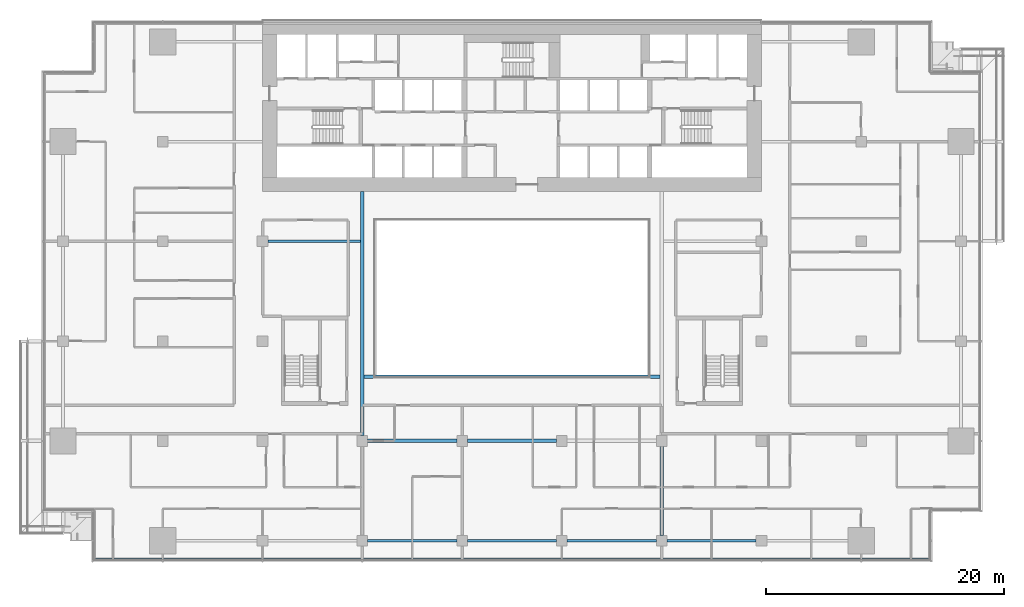
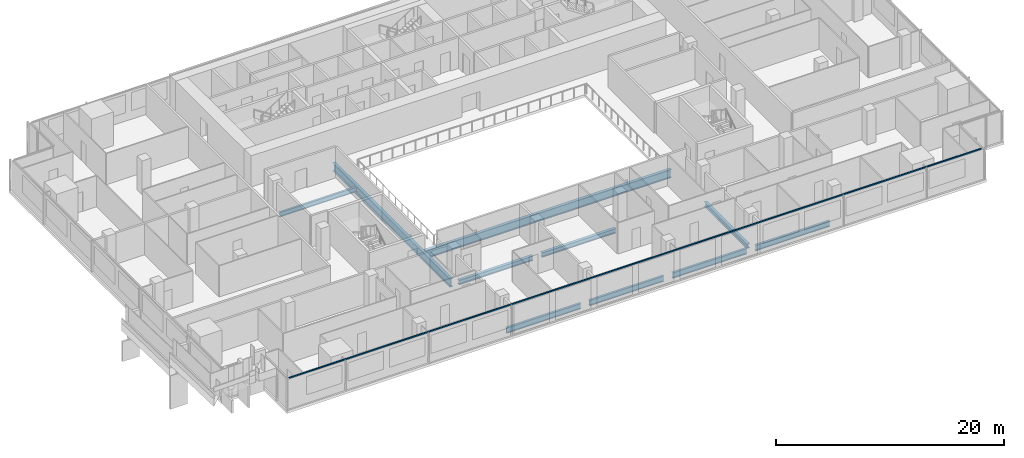
# One storey, part 5 of 27: 10 beams, 1 member, 1 element without a shape of its own.
"""IFC4 building model written with IfcOpenShell, lengths in metres."""

from ifc_helpers import new_model, si_unit, direction, frame, origin, origin_2d, place, context, subcontext, project, spatial, rectangle, i_section, extrude, material, material_profile, profile_set, type_object, element, aggregate, save


model = new_model("IFC4")

# Units and contexts
model_context = context("Model", 3, precision=1e-05, world=origin(), true_north=direction((0.0, 1.0)))
body_context = subcontext(model_context, "Body", "Model", "MODEL_VIEW")
ifc_project = project(units=[si_unit("LENGTHUNIT", "METRE"), si_unit("AREAUNIT", "SQUARE_METRE"), si_unit("VOLUMEUNIT", "CUBIC_METRE"), si_unit("PLANEANGLEUNIT", "RADIAN"), si_unit("MASSUNIT", "GRAM", prefix="KILO")], contexts=[model_context])

# Site, building, storey
site_placement = place(None, origin())
site = spatial("IfcSite", under=ifc_project, at=site_placement, CompositionType="ELEMENT")
building_placement = place(site_placement, origin())
building = spatial("IfcBuilding", under=site, at=building_placement, Name="Saffron Gate Tower", CompositionType="ELEMENT")
storey_placement = place(building_placement, frame((0.0, 0.0, 76.800048828125)))
storey = spatial("IfcBuildingStorey", under=building, at=storey_placement, Name="L18", CompositionType="ELEMENT", Elevation=76.800048828125)

# Beams
ifc_material_1 = material(Name="Structural steel S355", Category="steel")
ifc_material_profile_1 = material_profile(ifc_material_1, i_section(OverallWidth=0.199951171875, OverallDepth=0.5, WebThickness=0.01025390625, FlangeThickness=0.01611328125, FilletRadius=0.02099609375, at=origin_2d()))
ifc_profile_set_1 = profile_set([ifc_material_profile_1], Name="Structural steel S355")
beam_type_1 = type_object("IfcBeamType", Name="B10 IPE 500", PredefinedType="BEAM", material=ifc_profile_set_1)
beam_1_placement = place(storey_placement, frame((67.050048828125, 57.0, -0.530029296875), z_axis=(1.0, 0.0, 0.0), x_axis=(0.0, 1.0, 0.0)))
element("IfcBeam", 1, at=beam_1_placement, inside=storey, type_object=beam_type_1, Name="B10 CORE TIE BEAM", PredefinedType="BEAM", context=body_context, shape_type="SweptSolid", body=[
    extrude(i_section(OverallWidth=0.199951171875, OverallDepth=0.5, WebThickness=0.01025390625, FlangeThickness=0.01611328125, FilletRadius=0.02099609375, at=origin_2d()), origin(), (0.0, 0.0, 1.0), 7.800048828125),
])
ifc_material_profile_2 = material_profile(ifc_material_1, i_section(OverallWidth=0.219970703125, OverallDepth=0.60009765625, WebThickness=0.011962890625, FlangeThickness=0.01904296875, FilletRadius=0.02392578125, at=origin_2d()))
ifc_profile_set_2 = profile_set([ifc_material_profile_2], Name="Structural steel S355")
beam_type_2 = type_object("IfcBeamType", Name="B16 IPE 600", PredefinedType="SPANDREL", material=ifc_profile_set_2)
for number, where, z_axis, x_axis, name in (
    (2, (75.449951171875, 31.800048828125, -0.580078125), (1.0, 0.0, 0.0), (0.0, 1.0, 0.0), "B16 SPANDREL BEAM"),
    (3, (83.85009765625, 31.800048828125, -0.580078125), (1.0, 0.0, 0.0), (0.0, 1.0, 0.0), "B16 SPANDREL BEAM"),
    (4, (92.25, 31.800048828125, -0.580078125), (1.0, 0.0, 0.0), (0.0, 1.0, 0.0), "B16 SPANDREL BEAM"),
    (5, (100.64990234375, 31.800048828125, -0.580078125), (1.0, 0.0, 0.0), (0.0, 1.0, 0.0), "B16 SPANDREL BEAM"),
):
    element("IfcBeam", number, at=place(storey_placement, frame(where, z_axis=z_axis, x_axis=x_axis)), inside=storey, type_object=beam_type_2, Name=name, PredefinedType="SPANDREL", context=body_context, shape_type="SweptSolid", body=[
        extrude(i_section(OverallWidth=0.219970703125, OverallDepth=0.60009765625, WebThickness=0.011962890625, FlangeThickness=0.01904296875, FilletRadius=0.02392578125, at=origin_2d()), origin(), (0.0, 0.0, 1.0), 7.5),
    ])
ifc_material_profile_3 = material_profile(ifc_material_1, i_section(OverallWidth=0.300048828125, OverallDepth=0.889892578125, WebThickness=0.01611328125, FlangeThickness=0.030029296875, FilletRadius=0.030029296875, at=origin_2d()))
ifc_profile_set_3 = profile_set([ifc_material_profile_3], Name="Structural steel S355")
beam_type_3 = type_object("IfcBeamType", Name="B19 HEA 900", PredefinedType="BEAM", material=ifc_profile_set_3)
beam_2_placement = place(storey_placement, frame((75.0, 40.64990234375, -0.72509765625), z_axis=(0.0, 1.0, 0.0), x_axis=(-1.0, 0.0, 0.0)))
element("IfcBeam", 6, at=beam_2_placement, inside=storey, type_object=beam_type_3, Name="B19 ATRIUM GIRDER", PredefinedType="BEAM", context=body_context, shape_type="SweptSolid", body=[
    extrude(i_section(OverallWidth=0.300048828125, OverallDepth=0.889892578125, WebThickness=0.01611328125, FlangeThickness=0.030029296875, FilletRadius=0.030029296875, at=origin_2d()), origin(), (0.0, 0.0, 1.0), 20.550048828125),
])
beam_3_placement = place(storey_placement, frame((75.14990234375, 45.60009765625, -0.72509765625), z_axis=(1.0, 0.0, 0.0), x_axis=(0.0, 1.0, 0.0)))
element("IfcBeam", 7, at=beam_3_placement, inside=storey, type_object=beam_type_3, Name="B19 ATRIUM GIRDER", PredefinedType="BEAM", context=body_context, shape_type="SweptSolid", body=[
    extrude(i_section(OverallWidth=0.300048828125, OverallDepth=0.889892578125, WebThickness=0.01611328125, FlangeThickness=0.030029296875, FilletRadius=0.030029296875, at=origin_2d()), origin(), (0.0, 0.0, 1.0), 24.900146484375),
])
ifc_material_profile_4 = material_profile(ifc_material_1, i_section(OverallWidth=0.300048828125, OverallDepth=0.489990234375, WebThickness=0.011962890625, FlangeThickness=0.02294921875, FilletRadius=0.027099609375, at=origin_2d()))
ifc_profile_set_4 = profile_set([ifc_material_profile_4], Name="Structural steel S355")
beam_type_4 = type_object("IfcBeamType", Name="B8 HEA 500", PredefinedType="BEAM", material=ifc_profile_set_4)
for number, where, z_axis, x_axis, name in (
    (8, (100.199951171875, 32.25, -0.525146484375), (0.0, 1.0, 0.0), (-1.0, 0.0, 0.0), "B8 FLOOR GIRDER"),
    (9, (75.449951171875, 40.199951171875, -0.525146484375), (1.0, 0.0, 0.0), (0.0, 1.0, 0.0), "B8 FLOOR GIRDER"),
    (10, (83.85009765625, 40.199951171875, -0.525146484375), (1.0, 0.0, 0.0), (0.0, 1.0, 0.0), "B8 FLOOR GIRDER"),
):
    element("IfcBeam", number, at=place(storey_placement, frame(where, z_axis=z_axis, x_axis=x_axis)), inside=storey, type_object=beam_type_4, Name=name, PredefinedType="BEAM", context=body_context, shape_type="SweptSolid", body=[
        extrude(i_section(OverallWidth=0.300048828125, OverallDepth=0.489990234375, WebThickness=0.011962890625, FlangeThickness=0.02294921875, FilletRadius=0.027099609375, at=origin_2d()), origin(), (0.0, 0.0, 1.0), 7.5),
    ])

# Curtain wall, member
ifc_material_2 = material(Name="Aluminium, bronze anodised", Category="aluminium")
curtain_wall_type = type_object("IfcCurtainWallType", Name="CWS1 curtain wall front facade", PredefinedType="NOTDEFINED", material=ifc_material_2)
curtain_wall_placement = place(storey_placement, origin())
curtain_wall = element("IfcCurtainWall", 11, at=curtain_wall_placement, inside=storey, type_object=curtain_wall_type, Name="CWS1 run 1", PredefinedType="NOTDEFINED")
ifc_material_profile_5 = material_profile(ifc_material_2, rectangle(XDim=0.1201171875, YDim=0.1201171875, at=origin_2d()))
ifc_profile_set_5 = profile_set([ifc_material_profile_5], Name="Aluminium, bronze anodised")
member_type = type_object("IfcMemberType", Name="CWS1 head transom", PredefinedType="USERDEFINED", material=ifc_profile_set_5)
member_placement = place(storey_placement, frame((52.568115234375, 30.248046875, 3.260009765625), z_axis=(1.0, 0.0, 0.0), x_axis=(0.0, 1.0, 0.0)))
member = element("IfcMember", 12, at=member_placement, type_object=member_type, Name="CWS1 head transom", ObjectType="TRANSOM", PredefinedType="USERDEFINED", context=body_context, shape_type="SweptSolid", body=[
    extrude(rectangle(XDim=0.1201171875, YDim=0.1201171875, at=origin_2d()), origin(), (0.0, 0.0, 1.0), 70.06396484375),
])
aggregate(curtain_wall, [member])

save(model, "model.ifc")
